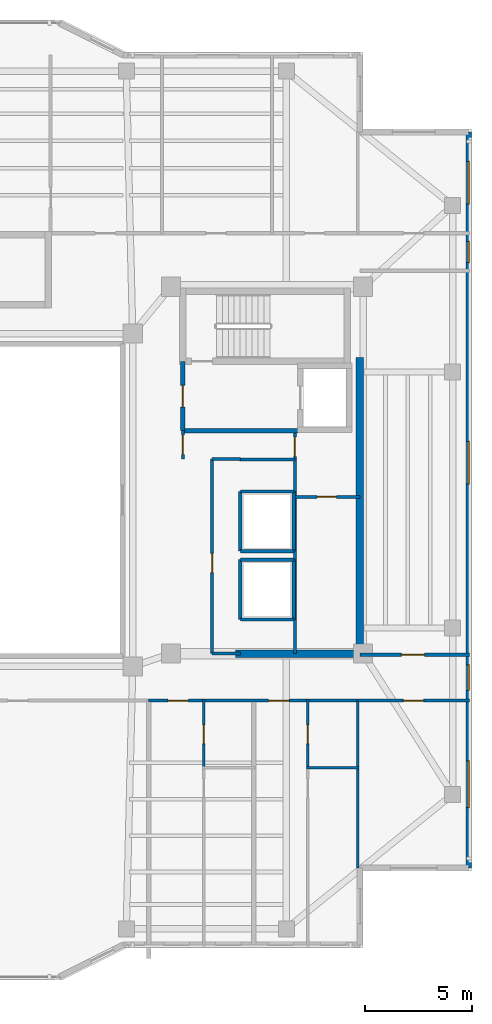
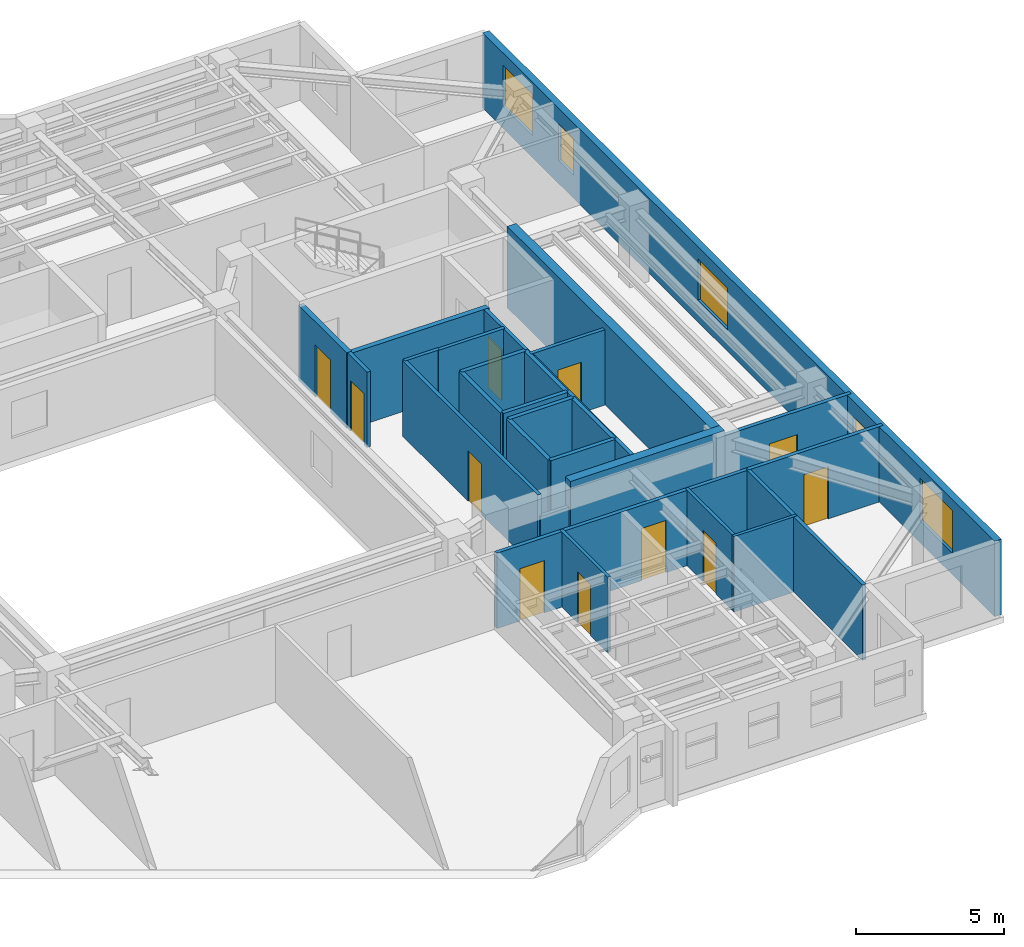
# One storey, part 8 of 13: 27 walls, 11 doors, 5 windows, 16 openings.
"""IFC4 building model written with IfcOpenShell, lengths in metres."""

from ifc_helpers import new_model, si_unit, direction, frame, frame_2d, origin, place, context, subcontext, project, spatial, rectangle, extrude, material, layer, layer_set, type_object, element, fill, save


model = new_model("IFC4")

# Units and contexts
model_context = context("Model", 3, precision=1e-05, world=origin(), true_north=direction((0.0, 1.0)))
body_context = subcontext(model_context, "Body", "Model", "MODEL_VIEW")
ifc_project = project(units=[si_unit("LENGTHUNIT", "METRE"), si_unit("AREAUNIT", "SQUARE_METRE"), si_unit("VOLUMEUNIT", "CUBIC_METRE"), si_unit("PLANEANGLEUNIT", "RADIAN"), si_unit("MASSUNIT", "GRAM", prefix="KILO")], contexts=[model_context])

# Site, building, storey
site_placement = place(None, origin())
site = spatial("IfcSite", under=ifc_project, at=site_placement, CompositionType="ELEMENT")
building_placement = place(site_placement, origin())
building = spatial("IfcBuilding", under=site, at=building_placement, Name="Tarnavaz Court Tower", CompositionType="ELEMENT")
storey_placement = place(building_placement, frame((0.0, 0.0, 196.949951171875)))
storey = spatial("IfcBuildingStorey", under=building, at=storey_placement, Name="L53", CompositionType="ELEMENT", Elevation=196.949951171875)

# Walls
ifc_material_1 = material(Name="Concrete C50/60", Category="concrete")
ifc_layer_1 = layer(ifc_material_1, 0.35009765625)
ifc_layer_set_1 = layer_set([ifc_layer_1], Name="Concrete C50/60")
wall_type_1 = type_object("IfcWallType", Name="WL-CORE-350-C50", PredefinedType="SHEAR", material=ifc_layer_set_1)
wall_1_placement = place(storey_placement, frame((18.449951171875, -7.375, 0.0), z_axis=(0.0, 0.0, 1.0), x_axis=(0.0, 1.0, 0.0)))
element("IfcWall", 1, at=wall_1_placement, inside=storey, type_object=wall_type_1, Name="L53 East Core Shear Wall 047", PredefinedType="SHEAR", context=body_context, shape_type="SweptSolid", body=[
    extrude(rectangle(XDim=14.050048828125, YDim=0.35009765625, at=frame_2d((7.02490234375, 0.0))), origin(), (0.0, 0.0, 1.0), 3.35009765625),
])
wall_2_placement = place(storey_placement, frame((12.625, -7.199951171875, 0.0), z_axis=(0.0, 0.0, 1.0), x_axis=(1.0, 0.0, 0.0)))
element("IfcWall", 2, at=wall_2_placement, inside=storey, type_object=wall_type_1, Name="L53 East Core South Shear Wall 048", PredefinedType="SHEAR", context=body_context, shape_type="SweptSolid", body=[
    extrude(rectangle(XDim=6.0, YDim=0.35009765625, at=frame_2d((3.0, 0.0))), origin(), (0.0, 0.0, 1.0), 3.35009765625),
])

# Wall, openings, windows
ifc_material_2 = material(Name="Precast Concrete C40/50", Category="concrete")
ifc_layer_2 = layer(ifc_material_2, 0.260009765625)
ifc_layer_set_2 = layer_set([ifc_layer_2], Name="Precast Concrete C40/50")
wall_type_2 = type_object("IfcWallType", Name="WL-EXT-260", PredefinedType="SOLIDWALL", material=ifc_layer_set_2)
wall_3_placement = place(storey_placement, frame((23.550048828125, 17.25, 0.0), z_axis=(0.0, 0.0, 1.0), x_axis=(0.0, -1.0, 0.0)))
wall_3 = element("IfcWall", 3, at=wall_3_placement, inside=storey, type_object=wall_type_2, Name="L53 Exterior Terracotta Facade Wall 12", PredefinedType="SOLIDWALL", context=body_context, shape_type="SweptSolid", body=[
    extrude(rectangle(XDim=34.5, YDim=0.260009765625, at=frame_2d((17.25, 0.0))), origin(), (0.0, 0.0, 1.0), 3.10009765625),
])
opening_1_placement = place(wall_3_placement, frame((1.375, 0.0, 0.89990234375)))
opening_1 = element("IfcOpeningElement", 4, at=opening_1_placement, cuts=wall_3, Name="Opening W08", PredefinedType="OPENING", context=body_context, shape_type="SweptSolid", body=[
    extrude(rectangle(XDim=2.0, YDim=1.699951171875, at=frame_2d((1.0, 0.85009765625))), frame((0.0, 0.139892578125, 0.0), z_axis=(0.0, -1.0, 0.0), x_axis=(1.0, 0.0, 0.0)), (0.0, 0.0, 1.0), 0.280029296875),
])
opening_2_placement = place(wall_3_placement, frame((5.125, 0.0, 0.949951171875)))
opening_2 = element("IfcOpeningElement", 5, at=opening_2_placement, cuts=wall_3, Name="Opening W14", PredefinedType="OPENING", context=body_context, shape_type="SweptSolid", body=[
    extrude(rectangle(XDim=1.0, YDim=1.5, at=frame_2d((0.5, 0.75))), frame((0.0, 0.139892578125, 0.0), z_axis=(0.0, -1.0, 0.0), x_axis=(1.0, 0.0, 0.0)), (0.0, 0.0, 1.0), 0.280029296875),
])
opening_3_placement = place(wall_3_placement, frame((14.5, 0.0, 0.89990234375)))
opening_3 = element("IfcOpeningElement", 6, at=opening_3_placement, cuts=wall_3, Name="Opening W08", PredefinedType="OPENING", context=body_context, shape_type="SweptSolid", body=[
    extrude(rectangle(XDim=2.0, YDim=1.699951171875, at=frame_2d((1.0, 0.85009765625))), frame((0.0, 0.139892578125, 0.0), z_axis=(0.0, -1.0, 0.0), x_axis=(1.0, 0.0, 0.0)), (0.0, 0.0, 1.0), 0.280029296875),
])
opening_4_placement = place(wall_3_placement, frame((24.97509765625, 0.0, 0.949951171875)))
opening_4 = element("IfcOpeningElement", 7, at=opening_4_placement, cuts=wall_3, Name="Opening W05", PredefinedType="OPENING", context=body_context, shape_type="SweptSolid", body=[
    extrude(rectangle(XDim=1.199951171875, YDim=1.5, at=frame_2d((0.60009765625, 0.75))), frame((0.0, 0.139892578125, 0.0), z_axis=(0.0, -1.0, 0.0), x_axis=(1.0, 0.0, 0.0)), (0.0, 0.0, 1.0), 0.280029296875),
])
opening_5_placement = place(wall_3_placement, frame((29.47509765625, 0.0, 0.89990234375)))
opening_5 = element("IfcOpeningElement", 8, at=opening_5_placement, cuts=wall_3, Name="Opening W07", PredefinedType="OPENING", context=body_context, shape_type="SweptSolid", body=[
    extrude(rectangle(XDim=2.199951171875, YDim=1.75, at=frame_2d((1.10009765625, 0.875))), frame((0.0, 0.139892578125, 0.0), z_axis=(0.0, -1.0, 0.0), x_axis=(1.0, 0.0, 0.0)), (0.0, 0.0, 1.0), 0.280029296875),
])
ifc_material_3 = material(Name="Double-Glazed Solar Low-E Glass", Category="glass")
window_type_1 = type_object("IfcWindowType", Name="WN-APT-1000", PartitioningType="SINGLE_PANEL", PredefinedType="WINDOW", material=ifc_material_3)
window_1_placement = place(opening_2_placement, origin())
window_1 = element("IfcWindow", 9, at=window_1_placement, inside=storey, type_object=window_type_1, Name="L53 North-East Corner Corridor Window", OverallHeight=1.5, OverallWidth=1.0, PartitioningType="SINGLE_PANEL", PredefinedType="WINDOW", context=body_context, shape_type="SweptSolid", body=[
    extrude(rectangle(XDim=1.0, YDim=1.5, at=frame_2d((0.5, 0.75))), frame((0.0, 0.030029296875, 0.0), z_axis=(0.0, -1.0, 0.0), x_axis=(1.0, 0.0, 0.0)), (0.0, 0.0, 1.0), 0.06005859375),
])
fill(opening_2, window_1)
window_type_2 = type_object("IfcWindowType", Name="WN-APT-1200", PartitioningType="SINGLE_PANEL", PredefinedType="WINDOW", material=ifc_material_3)
window_2_placement = place(opening_4_placement, origin())
window_2 = element("IfcWindow", 10, at=window_2_placement, inside=storey, type_object=window_type_2, Name="L53 South-East Corner Corridor Window", OverallHeight=1.5, OverallWidth=1.199951171875, PartitioningType="SINGLE_PANEL", PredefinedType="WINDOW", context=body_context, shape_type="SweptSolid", body=[
    extrude(rectangle(XDim=1.199951171875, YDim=1.5, at=frame_2d((0.60009765625, 0.75))), frame((0.0, 0.030029296875, 0.0), z_axis=(0.0, -1.0, 0.0), x_axis=(1.0, 0.0, 0.0)), (0.0, 0.0, 1.0), 0.06005859375),
])
fill(opening_4, window_2)
window_type_3 = type_object("IfcWindowType", Name="WN-APT-2000", PartitioningType="DOUBLE_PANEL_VERTICAL", PredefinedType="WINDOW", material=ifc_material_3)
window_3_placement = place(opening_1_placement, origin())
window_3 = element("IfcWindow", 11, at=window_3_placement, inside=storey, type_object=window_type_3, Name="L53 North-East Corner Sunroom Study Window", OverallHeight=1.699951171875, OverallWidth=2.0, PartitioningType="SINGLE_PANEL", PredefinedType="WINDOW", context=body_context, shape_type="SweptSolid", body=[
    extrude(rectangle(XDim=2.0, YDim=1.699951171875, at=frame_2d((1.0, 0.85009765625))), frame((0.0, 0.030029296875, 0.0), z_axis=(0.0, -1.0, 0.0), x_axis=(1.0, 0.0, 0.0)), (0.0, 0.0, 1.0), 0.06005859375),
])
fill(opening_1, window_3)
window_4_placement = place(opening_3_placement, origin())
window_4 = element("IfcWindow", 12, at=window_4_placement, inside=storey, type_object=window_type_3, Name="L53 East Wing Resident Fitness Lounge Window", OverallHeight=1.699951171875, OverallWidth=2.0, PartitioningType="SINGLE_PANEL", PredefinedType="WINDOW", context=body_context, shape_type="SweptSolid", body=[
    extrude(rectangle(XDim=2.0, YDim=1.699951171875, at=frame_2d((1.0, 0.85009765625))), frame((0.0, 0.030029296875, 0.0), z_axis=(0.0, -1.0, 0.0), x_axis=(1.0, 0.0, 0.0)), (0.0, 0.0, 1.0), 0.06005859375),
])
fill(opening_3, window_4)
window_type_4 = type_object("IfcWindowType", Name="WN-APT-2200", PartitioningType="TRIPLE_PANEL_VERTICAL", PredefinedType="WINDOW", material=ifc_material_3)
window_5_placement = place(opening_5_placement, origin())
window_5 = element("IfcWindow", 13, at=window_5_placement, inside=storey, type_object=window_type_4, Name="L53 South-East Corner Reading Room Window", OverallHeight=1.75, OverallWidth=2.199951171875, PartitioningType="SINGLE_PANEL", PredefinedType="WINDOW", context=body_context, shape_type="SweptSolid", body=[
    extrude(rectangle(XDim=2.199951171875, YDim=1.75, at=frame_2d((1.10009765625, 0.875))), frame((0.0, 0.030029296875, 0.0), z_axis=(0.0, -1.0, 0.0), x_axis=(1.0, 0.0, 0.0)), (0.0, 0.0, 1.0), 0.06005859375),
])
fill(opening_5, window_5)

# Wall, openings, doors
ifc_material_4 = material(Name="Gypsum Fire-Board on Acoustic Metal Stud", Category="masonry")
ifc_layer_3 = layer(ifc_material_4, 0.14990234375)
ifc_layer_set_3 = layer_set([ifc_layer_3], Name="Gypsum Fire-Board on Acoustic Metal Stud")
wall_type_3 = type_object("IfcWallType", Name="WL-FIRE-150", PredefinedType="PARTITIONING", material=ifc_layer_set_3)
wall_4_placement = place(storey_placement, frame((8.550048828125, -9.39990234375, 0.0), z_axis=(0.0, 0.0, 1.0), x_axis=(1.0, 0.0, 0.0)))
wall_4 = element("IfcWall", 14, at=wall_4_placement, inside=storey, type_object=wall_type_3, Name="L53 SE Lobby Wall 063", PredefinedType="PARTITIONING", context=body_context, shape_type="SweptSolid", body=[
    extrude(rectangle(XDim=9.800048828125, YDim=0.14990234375, at=frame_2d((4.89990234375, 0.0))), origin(), (0.0, 0.0, 1.0), 3.10009765625),
])
opening_6_placement = place(wall_4_placement, frame((0.89990234375, 0.0, 0.0)))
opening_6 = element("IfcOpeningElement", 15, at=opening_6_placement, cuts=wall_4, Name="Opening D06", PredefinedType="OPENING", context=body_context, shape_type="SweptSolid", body=[
    extrude(rectangle(XDim=0.9599609375, YDim=2.14990234375, at=frame_2d((0.47998046875, 1.074951171875))), frame((0.0, 0.0849609375, 0.0), z_axis=(0.0, -1.0, 0.0), x_axis=(1.0, 0.0, 0.0)), (0.0, 0.0, 1.0), 0.169921875),
])
opening_7_placement = place(wall_4_placement, frame((5.625, 0.0, 0.0)))
opening_7 = element("IfcOpeningElement", 16, at=opening_7_placement, cuts=wall_4, Name="Opening D06", PredefinedType="OPENING", context=body_context, shape_type="SweptSolid", body=[
    extrude(rectangle(XDim=0.9599609375, YDim=2.14990234375, at=frame_2d((0.47998046875, 1.074951171875))), frame((0.0, 0.0849609375, 0.0), z_axis=(0.0, -1.0, 0.0), x_axis=(1.0, 0.0, 0.0)), (0.0, 0.0, 1.0), 0.169921875),
])
ifc_material_5 = material(Name="Fire-Rated Hardwood Timber Core", Category="wood")
door_type_1 = type_object("IfcDoorType", Name="DR-FD60-950", OperationType="NOTDEFINED", PredefinedType="DOOR", material=ifc_material_5)
door_1_placement = place(opening_6_placement, origin())
door_1 = element("IfcDoor", 17, at=door_1_placement, inside=storey, type_object=door_type_1, Name="L53 Flat 02 Entrance Door", OperationType="SINGLE_SWING_RIGHT", OverallHeight=2.14990234375, OverallWidth=0.9599609375, PredefinedType="DOOR", context=body_context, shape_type="SweptSolid", body=[
    extrude(rectangle(XDim=0.9599609375, YDim=2.14990234375, at=frame_2d((0.47998046875, 1.074951171875))), frame((0.0, 0.02490234375, 0.0), z_axis=(0.0, -1.0, 0.0), x_axis=(1.0, 0.0, 0.0)), (0.0, 0.0, 1.0), 0.050048828125),
])
fill(opening_6, door_1)
door_2_placement = place(opening_7_placement, origin())
door_2 = element("IfcDoor", 18, at=door_2_placement, inside=storey, type_object=door_type_1, Name="L53 Flat 03 Entrance Door", OperationType="SINGLE_SWING_LEFT", OverallHeight=2.14990234375, OverallWidth=0.9599609375, PredefinedType="DOOR", context=body_context, shape_type="SweptSolid", body=[
    extrude(rectangle(XDim=0.9599609375, YDim=2.14990234375, at=frame_2d((0.47998046875, 1.074951171875))), frame((0.0, 0.02490234375, 0.0), z_axis=(0.0, -1.0, 0.0), x_axis=(1.0, 0.0, 0.0)), (0.0, 0.0, 1.0), 0.050048828125),
])
fill(opening_7, door_2)

# Wall, opening, door
wall_5_placement = place(storey_placement, frame((18.449951171875, -7.25, 0.0), z_axis=(0.0, 0.0, 1.0), x_axis=(1.0, 0.0, 0.0)))
wall_5 = element("IfcWall", 19, at=wall_5_placement, inside=storey, type_object=wall_type_3, Name="L53 Interior Partition 090", PredefinedType="PARTITIONING", context=body_context, shape_type="SweptSolid", body=[
    extrude(rectangle(XDim=5.130126953125, YDim=0.14990234375, at=frame_2d((2.56494140625, 0.0))), origin(), (0.0, 0.0, 1.0), 3.10009765625),
])
opening_8_placement = place(wall_5_placement, frame((1.949951171875, 0.0, 0.0)))
opening_8 = element("IfcOpeningElement", 20, at=opening_8_placement, cuts=wall_5, Name="Opening D12", PredefinedType="OPENING", context=body_context, shape_type="SweptSolid", body=[
    extrude(rectangle(XDim=1.080078125, YDim=2.14990234375, at=frame_2d((0.5400390625, 1.074951171875))), frame((0.0, 0.0849609375, 0.0), z_axis=(0.0, -1.0, 0.0), x_axis=(1.0, 0.0, 0.0)), (0.0, 0.0, 1.0), 0.169921875),
])
ifc_material_6 = material(Name="Engineered Oak Timber", Category="wood")
door_type_2 = type_object("IfcDoorType", Name="DR-INT-1100", OperationType="NOTDEFINED", PredefinedType="DOOR", material=ifc_material_6)
door_3_placement = place(opening_8_placement, origin())
door_3 = element("IfcDoor", 21, at=door_3_placement, inside=storey, type_object=door_type_2, Name="L53 East Fitness Lounge Door", OperationType="SINGLE_SWING_LEFT", OverallHeight=2.14990234375, OverallWidth=1.080078125, PredefinedType="DOOR", context=body_context, shape_type="SweptSolid", body=[
    extrude(rectangle(XDim=1.080078125, YDim=2.14990234375, at=frame_2d((0.5400390625, 1.074951171875))), frame((0.0, 0.02490234375, 0.0), z_axis=(0.0, -1.0, 0.0), x_axis=(1.0, 0.0, 0.0)), (0.0, 0.0, 1.0), 0.050048828125),
])
fill(opening_8, door_3)

wall_6_placement = place(storey_placement, frame((18.35009765625, -9.39990234375, 0.0), z_axis=(0.0, 0.0, 1.0), x_axis=(1.0, 0.0, 0.0)))
wall_6 = element("IfcWall", 22, at=wall_6_placement, inside=storey, type_object=wall_type_3, Name="L53 Interior Partition 099", PredefinedType="PARTITIONING", context=body_context, shape_type="SweptSolid", body=[
    extrude(rectangle(XDim=5.22998046875, YDim=0.14990234375, at=frame_2d((2.614990234375, 0.0))), origin(), (0.0, 0.0, 1.0), 3.10009765625),
])
opening_9_placement = place(wall_6_placement, frame((2.139892578125, 0.0, 0.0)))
opening_9 = element("IfcOpeningElement", 23, at=opening_9_placement, cuts=wall_6, Name="Opening D13", PredefinedType="OPENING", context=body_context, shape_type="SweptSolid", body=[
    extrude(rectangle(XDim=0.949951171875, YDim=2.14990234375, at=frame_2d((0.47509765625, 1.074951171875))), frame((0.0, 0.0849609375, 0.0), z_axis=(0.0, -1.0, 0.0), x_axis=(1.0, 0.0, 0.0)), (0.0, 0.0, 1.0), 0.169921875),
])
door_type_3 = type_object("IfcDoorType", Name="DR-INT-950", OperationType="NOTDEFINED", PredefinedType="DOOR", material=ifc_material_6)
door_4_placement = place(opening_9_placement, origin())
door_4 = element("IfcDoor", 24, at=door_4_placement, inside=storey, type_object=door_type_3, Name="L53 SE Reading Room Door", OperationType="SINGLE_SWING_LEFT", OverallHeight=2.14990234375, OverallWidth=0.949951171875, PredefinedType="DOOR", context=body_context, shape_type="SweptSolid", body=[
    extrude(rectangle(XDim=0.949951171875, YDim=2.14990234375, at=frame_2d((0.47509765625, 1.074951171875))), frame((0.0, 0.02490234375, 0.0), z_axis=(0.0, -1.0, 0.0), x_axis=(1.0, 0.0, 0.0)), (0.0, 0.0, 1.0), 0.050048828125),
])
fill(opening_9, door_4)

# Wall
ifc_material_7 = material(Name="Autoclaved Aerated Concrete Blockwork", Category="masonry")
ifc_layer_4 = layer(ifc_material_7, 0.199951171875)
ifc_layer_set_4 = layer_set([ifc_layer_4], Name="Autoclaved Aerated Concrete Blockwork")
wall_type_4 = type_object("IfcWallType", Name="WL-FIRE-200", PredefinedType="SOLIDWALL", material=ifc_layer_set_4)
wall_7_placement = place(storey_placement, frame((10.14990234375, 3.25, 0.0), z_axis=(0.0, 0.0, 1.0), x_axis=(1.0, 0.0, 0.0)))
element("IfcWall", 25, at=wall_7_placement, inside=storey, type_object=wall_type_4, Name="L53 East Firefighting Lobby Wall 015", PredefinedType="SOLIDWALL", context=body_context, shape_type="SweptSolid", body=[
    extrude(rectangle(XDim=5.400146484375, YDim=0.199951171875, at=frame_2d((2.7001953125, 0.0))), origin(), (0.0, 0.0, 1.0), 3.10009765625),
])

# Wall, opening, door
wall_8_placement = place(storey_placement, frame((10.14990234375, 3.25, 0.0), z_axis=(0.0, 0.0, 1.0), x_axis=(0.0, 1.0, 0.0)))
wall_8 = element("IfcWall", 26, at=wall_8_placement, inside=storey, type_object=wall_type_4, Name="L53 East Firefighting Lobby Wall 016", PredefinedType="SOLIDWALL", context=body_context, shape_type="SweptSolid", body=[
    extrude(rectangle(XDim=3.25, YDim=0.199951171875, at=frame_2d((1.625, 0.0))), origin(), (0.0, 0.0, 1.0), 3.10009765625),
])
opening_10_placement = place(wall_8_placement, frame((1.10009765625, 0.0, 0.0)))
opening_10 = element("IfcOpeningElement", 27, at=opening_10_placement, cuts=wall_8, Name="Opening D05", PredefinedType="OPENING", context=body_context, shape_type="SweptSolid", body=[
    extrude(rectangle(XDim=1.02001953125, YDim=2.14990234375, at=frame_2d((0.510009765625, 1.074951171875))), frame((0.0, 0.10986328125, 0.0), z_axis=(0.0, -1.0, 0.0), x_axis=(1.0, 0.0, 0.0)), (0.0, 0.0, 1.0), 0.219970703125),
])
door_type_4 = type_object("IfcDoorType", Name="DR-FD60-1000", OperationType="NOTDEFINED", PredefinedType="DOOR", material=ifc_material_5)
door_5_placement = place(opening_10_placement, origin())
door_5 = element("IfcDoor", 28, at=door_5_placement, inside=storey, type_object=door_type_4, Name="L53 East Firefighting Lobby Door", OperationType="SINGLE_SWING_LEFT", OverallHeight=2.14990234375, OverallWidth=1.02001953125, PredefinedType="DOOR", context=body_context, shape_type="SweptSolid", body=[
    extrude(rectangle(XDim=1.02001953125, YDim=2.14990234375, at=frame_2d((0.510009765625, 1.074951171875))), frame((0.0, 0.02490234375, 0.0), z_axis=(0.0, -1.0, 0.0), x_axis=(1.0, 0.0, 0.0)), (0.0, 0.0, 1.0), 0.050048828125),
])
fill(opening_10, door_5)

ifc_material_8 = material(Name="Moisture-Resistant Gypsum Board Partition", Category="masonry")
ifc_layer_5 = layer(ifc_material_8, 0.1201171875)
ifc_layer_set_5 = layer_set([ifc_layer_5], Name="Moisture-Resistant Gypsum Board Partition")
wall_type_5 = type_object("IfcWallType", Name="WL-PART-120", PredefinedType="PARTITIONING", material=ifc_layer_set_5)
wall_9_placement = place(storey_placement, frame((11.133056640625, -12.56005859375, 0.0), z_axis=(0.0, 0.0, 1.0), x_axis=(0.0, 1.0, 0.0)))
wall_9 = element("IfcWall", 29, at=wall_9_placement, inside=storey, type_object=wall_type_5, Name="L53 Interior Partition 079", PredefinedType="PARTITIONING", context=body_context, shape_type="SweptSolid", body=[
    extrude(rectangle(XDim=3.219970703125, YDim=0.1201171875, at=frame_2d((1.60986328125, 0.0))), origin(), (0.0, 0.0, 1.0), 3.10009765625),
])
opening_11_placement = place(wall_9_placement, frame((1.139892578125, 0.0, 0.0)))
opening_11 = element("IfcOpeningElement", 30, at=opening_11_placement, cuts=wall_9, Name="Opening D14", PredefinedType="OPENING", context=body_context, shape_type="SweptSolid", body=[
    extrude(rectangle(XDim=0.8798828125, YDim=2.10009765625, at=frame_2d((0.43994140625, 1.050048828125))), frame((0.0, 0.070068359375, 0.0), z_axis=(0.0, -1.0, 0.0), x_axis=(1.0, 0.0, 0.0)), (0.0, 0.0, 1.0), 0.14013671875),
])
door_type_5 = type_object("IfcDoorType", Name="DR-INT-900", OperationType="NOTDEFINED", PredefinedType="DOOR", material=ifc_material_6)
door_6_placement = place(opening_11_placement, origin())
door_6 = element("IfcDoor", 31, at=door_6_placement, inside=storey, type_object=door_type_5, Name="L53 Flat 02 Bathroom Door", OperationType="SINGLE_SWING_RIGHT", OverallHeight=2.10009765625, OverallWidth=0.8798828125, PredefinedType="DOOR", context=body_context, shape_type="SweptSolid", body=[
    extrude(rectangle(XDim=0.8798828125, YDim=2.10009765625, at=frame_2d((0.43994140625, 1.050048828125))), frame((0.0, 0.02490234375, 0.0), z_axis=(0.0, -1.0, 0.0), x_axis=(1.0, 0.0, 0.0)), (0.0, 0.0, 1.0), 0.050048828125),
])
fill(opening_11, door_6)

wall_10_placement = place(storey_placement, frame((16.008056640625, -12.56005859375, 0.0), z_axis=(0.0, 0.0, 1.0), x_axis=(0.0, 1.0, 0.0)))
wall_10 = element("IfcWall", 32, at=wall_10_placement, inside=storey, type_object=wall_type_5, Name="L53 Interior Partition 082", PredefinedType="PARTITIONING", context=body_context, shape_type="SweptSolid", body=[
    extrude(rectangle(XDim=3.219970703125, YDim=0.1201171875, at=frame_2d((1.60986328125, 0.0))), origin(), (0.0, 0.0, 1.0), 3.10009765625),
])
opening_12_placement = place(wall_10_placement, frame((1.139892578125, 0.0, 0.0)))
opening_12 = element("IfcOpeningElement", 33, at=opening_12_placement, cuts=wall_10, Name="Opening D14", PredefinedType="OPENING", context=body_context, shape_type="SweptSolid", body=[
    extrude(rectangle(XDim=0.8798828125, YDim=2.10009765625, at=frame_2d((0.43994140625, 1.050048828125))), frame((0.0, 0.070068359375, 0.0), z_axis=(0.0, -1.0, 0.0), x_axis=(1.0, 0.0, 0.0)), (0.0, 0.0, 1.0), 0.14013671875),
])
door_7_placement = place(opening_12_placement, origin())
door_7 = element("IfcDoor", 34, at=door_7_placement, inside=storey, type_object=door_type_5, Name="L53 Flat 03 Bathroom Door", OperationType="SINGLE_SWING_LEFT", OverallHeight=2.10009765625, OverallWidth=0.8798828125, PredefinedType="DOOR", context=body_context, shape_type="SweptSolid", body=[
    extrude(rectangle(XDim=0.8798828125, YDim=2.10009765625, at=frame_2d((0.43994140625, 1.050048828125))), frame((0.0, 0.02490234375, 0.0), z_axis=(0.0, -1.0, 0.0), x_axis=(1.0, 0.0, 0.0)), (0.0, 0.0, 1.0), 0.050048828125),
])
fill(opening_12, door_7)

# Walls
wall_11_placement = place(storey_placement, frame((15.947998046875, -12.56005859375, 0.0), z_axis=(0.0, 0.0, 1.0), x_axis=(1.0, 0.0, 0.0)))
element("IfcWall", 35, at=wall_11_placement, inside=storey, type_object=wall_type_5, Name="L53 Interior Partition 083", PredefinedType="PARTITIONING", context=body_context, shape_type="SweptSolid", body=[
    extrude(rectangle(XDim=2.4619140625, YDim=0.1201171875, at=frame_2d((1.23095703125, 0.0))), origin(), (0.0, 0.0, 1.0), 3.10009765625),
])
ifc_material_9 = material(Name="Gypsum Plasterboard Acoustic Partition", Category="masonry")
ifc_layer_6 = layer(ifc_material_9, 0.139892578125)
ifc_layer_set_6 = layer_set([ifc_layer_6], Name="Gypsum Plasterboard Acoustic Partition")
wall_type_6 = type_object("IfcWallType", Name="WL-PART-150", PredefinedType="PARTITIONING", material=ifc_layer_set_6)
wall_12_placement = place(storey_placement, frame((12.800048828125, 1.89990234375, 0.0), z_axis=(0.0, 0.0, 1.0), x_axis=(1.0, 0.0, 0.0)))
element("IfcWall", 36, at=wall_12_placement, inside=storey, type_object=wall_type_6, Name="L53 Interior Partition 053", PredefinedType="PARTITIONING", context=body_context, shape_type="SweptSolid", body=[
    extrude(rectangle(XDim=2.599853515625, YDim=0.139892578125, at=frame_2d((1.2998046875, 0.0))), origin(), (0.0, 0.0, 1.0), 3.10009765625),
])

# Wall, opening, door
wall_13_placement = place(storey_placement, frame((10.14990234375, 1.919921875, 0.0), z_axis=(0.0, 0.0, 1.0), x_axis=(0.0, 1.0, 0.0)))
wall_13 = element("IfcWall", 37, at=wall_13_placement, inside=storey, type_object=wall_type_6, Name="L53 Interior Partition 054", PredefinedType="PARTITIONING", context=body_context, shape_type="SweptSolid", body=[
    extrude(rectangle(XDim=1.330078125, YDim=0.139892578125, at=frame_2d((0.6650390625, 0.0))), origin(), (0.0, 0.0, 1.0), 3.10009765625),
])
opening_13_placement = place(wall_13_placement, frame((0.219970703125, 0.0, 0.0)))
opening_13 = element("IfcOpeningElement", 38, at=opening_13_placement, cuts=wall_13, Name="Opening D09", PredefinedType="OPENING", context=body_context, shape_type="SweptSolid", body=[
    extrude(rectangle(XDim=0.89990234375, YDim=2.080078125, at=frame_2d((0.449951171875, 1.0400390625))), frame((0.0, 0.079833984375, 0.0), z_axis=(0.0, -1.0, 0.0), x_axis=(1.0, 0.0, 0.0)), (0.0, 0.0, 1.0), 0.159912109375),
])
door_type_6 = type_object("IfcDoorType", Name="DR-FD30-900", OperationType="NOTDEFINED", PredefinedType="DOOR", material=ifc_material_5)
door_8_placement = place(opening_13_placement, origin())
door_8 = element("IfcDoor", 39, at=door_8_placement, inside=storey, type_object=door_type_6, Name="L53 East Core Service Lobby Door", OperationType="SINGLE_SWING_RIGHT", OverallHeight=2.080078125, OverallWidth=0.89990234375, PredefinedType="DOOR", context=body_context, shape_type="SweptSolid", body=[
    extrude(rectangle(XDim=0.89990234375, YDim=2.080078125, at=frame_2d((0.449951171875, 1.0400390625))), frame((0.0, 0.02490234375, 0.0), z_axis=(0.0, -1.0, 0.0), x_axis=(1.0, 0.0, 0.0)), (0.0, 0.0, 1.0), 0.050048828125),
])
fill(opening_13, door_8)

wall_14_placement = place(storey_placement, frame((15.39990234375, -7.199951171875, 0.0), z_axis=(0.0, 0.0, 1.0), x_axis=(0.0, 1.0, 0.0)))
wall_14 = element("IfcWall", 40, at=wall_14_placement, inside=storey, type_object=wall_type_6, Name="L53 Interior Partition 055", PredefinedType="PARTITIONING", context=body_context, shape_type="SweptSolid", body=[
    extrude(rectangle(XDim=10.449951171875, YDim=0.139892578125, at=frame_2d((5.22509765625, 0.0))), origin(), (0.0, 0.0, 1.0), 3.10009765625),
])
opening_14_placement = place(wall_14_placement, frame((9.25, 0.0, 0.0)))
opening_14 = element("IfcOpeningElement", 41, at=opening_14_placement, cuts=wall_14, Name="Opening D09", PredefinedType="OPENING", context=body_context, shape_type="SweptSolid", body=[
    extrude(rectangle(XDim=0.89990234375, YDim=2.080078125, at=frame_2d((0.449951171875, 1.0400390625))), frame((0.0, 0.079833984375, 0.0), z_axis=(0.0, -1.0, 0.0), x_axis=(1.0, 0.0, 0.0)), (0.0, 0.0, 1.0), 0.159912109375),
])
door_9_placement = place(opening_14_placement, origin())
door_9 = element("IfcDoor", 42, at=door_9_placement, inside=storey, type_object=door_type_6, Name="L53 East Wet Riser Door", OperationType="SINGLE_SWING_LEFT", OverallHeight=2.080078125, OverallWidth=0.89990234375, PredefinedType="DOOR", context=body_context, shape_type="SweptSolid", body=[
    extrude(rectangle(XDim=0.89990234375, YDim=2.080078125, at=frame_2d((0.449951171875, 1.0400390625))), frame((0.0, 0.02490234375, 0.0), z_axis=(0.0, -1.0, 0.0), x_axis=(1.0, 0.0, 0.0)), (0.0, 0.0, 1.0), 0.050048828125),
])
fill(opening_14, door_9)

wall_15_placement = place(storey_placement, frame((15.39990234375, 0.14990234375, 0.0), z_axis=(0.0, 0.0, 1.0), x_axis=(1.0, 0.0, 0.0)))
wall_15 = element("IfcWall", 43, at=wall_15_placement, inside=storey, type_object=wall_type_6, Name="L53 Interior Partition 056", PredefinedType="PARTITIONING", context=body_context, shape_type="SweptSolid", body=[
    extrude(rectangle(XDim=3.050048828125, YDim=0.139892578125, at=frame_2d((1.52490234375, 0.0))), origin(), (0.0, 0.0, 1.0), 3.10009765625),
])
opening_15_placement = place(wall_15_placement, frame((1.050048828125, 0.0, 0.0)))
opening_15 = element("IfcOpeningElement", 44, at=opening_15_placement, cuts=wall_15, Name="Opening D09", PredefinedType="OPENING", context=body_context, shape_type="SweptSolid", body=[
    extrude(rectangle(XDim=0.89990234375, YDim=2.080078125, at=frame_2d((0.449951171875, 1.0400390625))), frame((0.0, 0.079833984375, 0.0), z_axis=(0.0, -1.0, 0.0), x_axis=(1.0, 0.0, 0.0)), (0.0, 0.0, 1.0), 0.159912109375),
])
door_10_placement = place(opening_15_placement, origin())
door_10 = element("IfcDoor", 45, at=door_10_placement, inside=storey, type_object=door_type_6, Name="L53 East Electrical Plant Door", OperationType="SINGLE_SWING_RIGHT", OverallHeight=2.080078125, OverallWidth=0.89990234375, PredefinedType="DOOR", context=body_context, shape_type="SweptSolid", body=[
    extrude(rectangle(XDim=0.89990234375, YDim=2.080078125, at=frame_2d((0.449951171875, 1.0400390625))), frame((0.0, 0.02490234375, 0.0), z_axis=(0.0, -1.0, 0.0), x_axis=(1.0, 0.0, 0.0)), (0.0, 0.0, 1.0), 0.050048828125),
])
fill(opening_15, door_10)

wall_16_placement = place(storey_placement, frame((11.52001953125, -7.199951171875, 0.0), z_axis=(0.0, 0.0, 1.0), x_axis=(0.0, 1.0, 0.0)))
wall_16 = element("IfcWall", 46, at=wall_16_placement, inside=storey, type_object=wall_type_6, Name="L53 Interior Partition 057", PredefinedType="PARTITIONING", context=body_context, shape_type="SweptSolid", body=[
    extrude(rectangle(XDim=9.119873046875, YDim=0.139892578125, at=frame_2d((4.56005859375, 0.0))), origin(), (0.0, 0.0, 1.0), 3.10009765625),
])
opening_16_placement = place(wall_16_placement, frame((3.800048828125, 0.0, 0.0)))
opening_16 = element("IfcOpeningElement", 47, at=opening_16_placement, cuts=wall_16, Name="Opening D09", PredefinedType="OPENING", context=body_context, shape_type="SweptSolid", body=[
    extrude(rectangle(XDim=0.89990234375, YDim=2.080078125, at=frame_2d((0.449951171875, 1.0400390625))), frame((0.0, 0.079833984375, 0.0), z_axis=(0.0, -1.0, 0.0), x_axis=(1.0, 0.0, 0.0)), (0.0, 0.0, 1.0), 0.159912109375),
])
door_11_placement = place(opening_16_placement, origin())
door_11 = element("IfcDoor", 48, at=door_11_placement, inside=storey, type_object=door_type_6, Name="L53 East Sky Core Store Door", OperationType="SINGLE_SWING_LEFT", OverallHeight=2.080078125, OverallWidth=0.89990234375, PredefinedType="DOOR", context=body_context, shape_type="SweptSolid", body=[
    extrude(rectangle(XDim=0.89990234375, YDim=2.080078125, at=frame_2d((0.449951171875, 1.0400390625))), frame((0.0, 0.02490234375, 0.0), z_axis=(0.0, -1.0, 0.0), x_axis=(1.0, 0.0, 0.0)), (0.0, 0.0, 1.0), 0.050048828125),
])
fill(opening_16, door_11)

# Walls
wall_17_placement = place(storey_placement, frame((11.52001953125, 1.919921875, 0.0), z_axis=(0.0, 0.0, 1.0), x_axis=(1.0, 0.0, 0.0)))
element("IfcWall", 49, at=wall_17_placement, inside=storey, type_object=wall_type_6, Name="L53 Interior Partition 058", PredefinedType="PARTITIONING", context=body_context, shape_type="SweptSolid", body=[
    extrude(rectangle(XDim=1.330078125, YDim=0.139892578125, at=frame_2d((0.6650390625, 0.0))), origin(), (0.0, 0.0, 1.0), 3.10009765625),
])
wall_18_placement = place(storey_placement, frame((11.52001953125, -7.199951171875, 0.0), z_axis=(0.0, 0.0, 1.0), x_axis=(1.0, 0.0, 0.0)))
element("IfcWall", 50, at=wall_18_placement, inside=storey, type_object=wall_type_6, Name="L53 Interior Partition 059", PredefinedType="PARTITIONING", context=body_context, shape_type="SweptSolid", body=[
    extrude(rectangle(XDim=1.330078125, YDim=0.139892578125, at=frame_2d((0.6650390625, 0.0))), origin(), (0.0, 0.0, 1.0), 2.235107421875),
])
wall_19_placement = place(storey_placement, frame((18.35009765625, -17.25, 0.0), z_axis=(0.0, 0.0, 1.0), x_axis=(0.0, 1.0, 0.0)))
element("IfcWall", 51, at=wall_19_placement, inside=storey, type_object=wall_type_6, Name="L53 Interior Partition 093", PredefinedType="PARTITIONING", context=body_context, shape_type="SweptSolid", body=[
    extrude(rectangle(XDim=7.85009765625, YDim=0.139892578125, at=frame_2d((3.925048828125, 0.0))), origin(), (0.0, 0.0, 1.0), 3.10009765625),
])
ifc_layer_7 = layer(ifc_material_7, 0.159912109375)
ifc_layer_set_7 = layer_set([ifc_layer_7], Name="Autoclaved Aerated Concrete Blockwork")
wall_type_7 = type_object("IfcWallType", Name="WL-SHAFT-150", PredefinedType="SOLIDWALL", material=ifc_layer_set_7)
for number, where, z_axis, x_axis, name in (
    (52, (12.85009765625, -5.60009765625, 0.0), (0.0, 0.0, 1.0), (0.0, 1.0, 0.0), "L53 Lift PL-OB1 Shaft Wall 037"),
    (53, (15.35009765625, -5.60009765625, 0.0), (0.0, 0.0, 1.0), (0.0, 1.0, 0.0), "L53 Lift PL-OB1 Shaft Wall 038"),
):
    element("IfcWall", number, at=place(storey_placement, frame(where, z_axis=z_axis, x_axis=x_axis)), inside=storey, type_object=wall_type_7, Name=name, PredefinedType="SOLIDWALL", context=body_context, shape_type="SweptSolid", body=[
        extrude(rectangle(XDim=2.800048828125, YDim=0.159912109375, at=frame_2d((1.39990234375, 0.0))), origin(), (0.0, 0.0, 1.0), 3.10009765625),
    ])
for number, where, z_axis, x_axis, name in (
    (54, (12.85009765625, -5.60009765625, 0.0), (0.0, 0.0, 1.0), (1.0, 0.0, 0.0), "L53 Lift PL-OB1 Shaft Wall 039"),
    (55, (12.85009765625, -2.800048828125, 0.0), (0.0, 0.0, 1.0), (1.0, 0.0, 0.0), "L53 Lift PL-OB1 Shaft Wall 040"),
):
    element("IfcWall", number, at=place(storey_placement, frame(where, z_axis=z_axis, x_axis=x_axis)), inside=storey, type_object=wall_type_7, Name=name, PredefinedType="SOLIDWALL", context=body_context, shape_type="SweptSolid", body=[
        extrude(rectangle(XDim=2.5, YDim=0.159912109375, at=frame_2d((1.25, 0.0))), origin(), (0.0, 0.0, 1.0), 3.10009765625),
    ])
for number, where, z_axis, x_axis, name in (
    (56, (12.85009765625, -2.39990234375, 0.0), (0.0, 0.0, 1.0), (0.0, 1.0, 0.0), "L53 Lift PL-OB2 Shaft Wall 041"),
    (57, (15.35009765625, -2.39990234375, 0.0), (0.0, 0.0, 1.0), (0.0, 1.0, 0.0), "L53 Lift PL-OB2 Shaft Wall 042"),
):
    element("IfcWall", number, at=place(storey_placement, frame(where, z_axis=z_axis, x_axis=x_axis)), inside=storey, type_object=wall_type_7, Name=name, PredefinedType="SOLIDWALL", context=body_context, shape_type="SweptSolid", body=[
        extrude(rectangle(XDim=2.7998046875, YDim=0.159912109375, at=frame_2d((1.39990234375, 0.0))), origin(), (0.0, 0.0, 1.0), 3.10009765625),
    ])
for number, where, z_axis, x_axis, name in (
    (58, (12.85009765625, -2.39990234375, 0.0), (0.0, 0.0, 1.0), (1.0, 0.0, 0.0), "L53 Lift PL-OB2 Shaft Wall 043"),
    (59, (12.85009765625, 0.39990234375, 0.0), (0.0, 0.0, 1.0), (1.0, 0.0, 0.0), "L53 Lift PL-OB2 Shaft Wall 044"),
):
    element("IfcWall", number, at=place(storey_placement, frame(where, z_axis=z_axis, x_axis=x_axis)), inside=storey, type_object=wall_type_7, Name=name, PredefinedType="SOLIDWALL", context=body_context, shape_type="SweptSolid", body=[
        extrude(rectangle(XDim=2.5, YDim=0.159912109375, at=frame_2d((1.25, 0.0))), origin(), (0.0, 0.0, 1.0), 3.10009765625),
    ])

save(model, "model.ifc")
